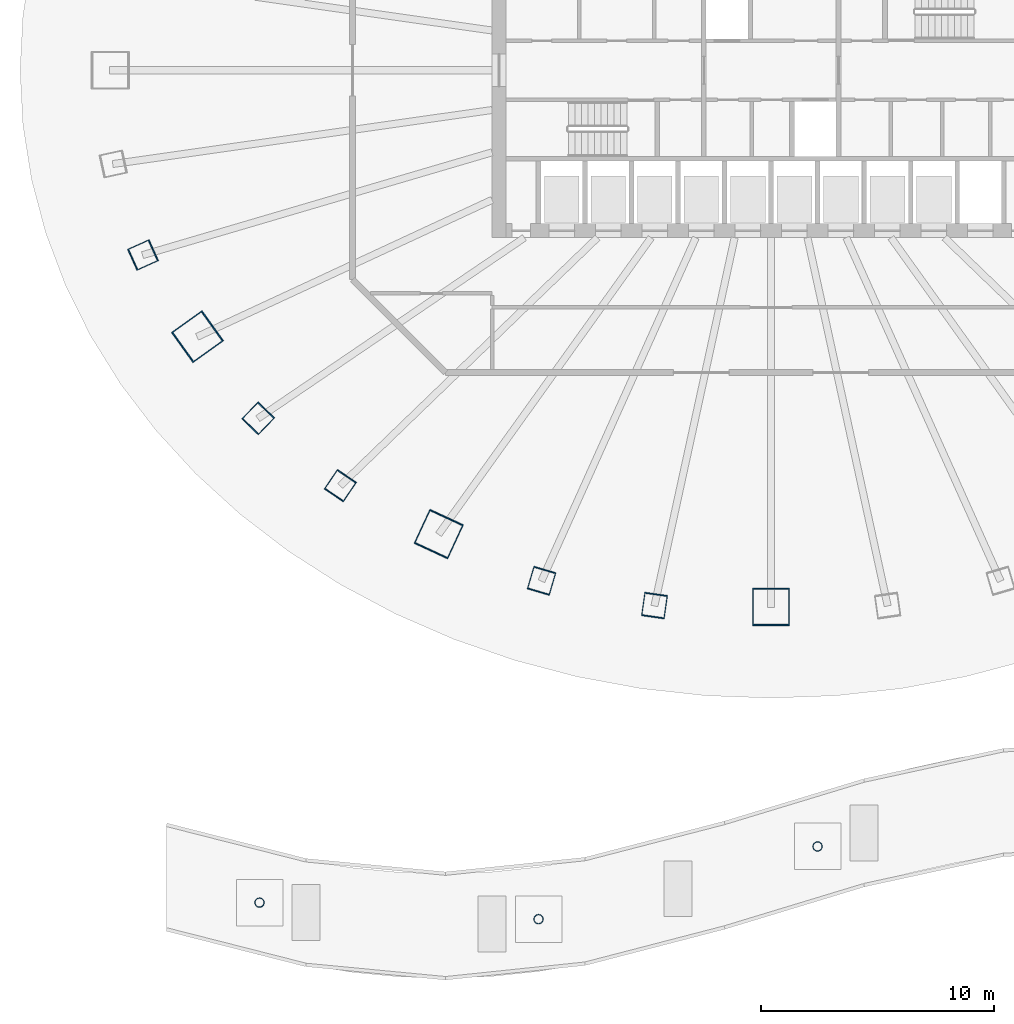
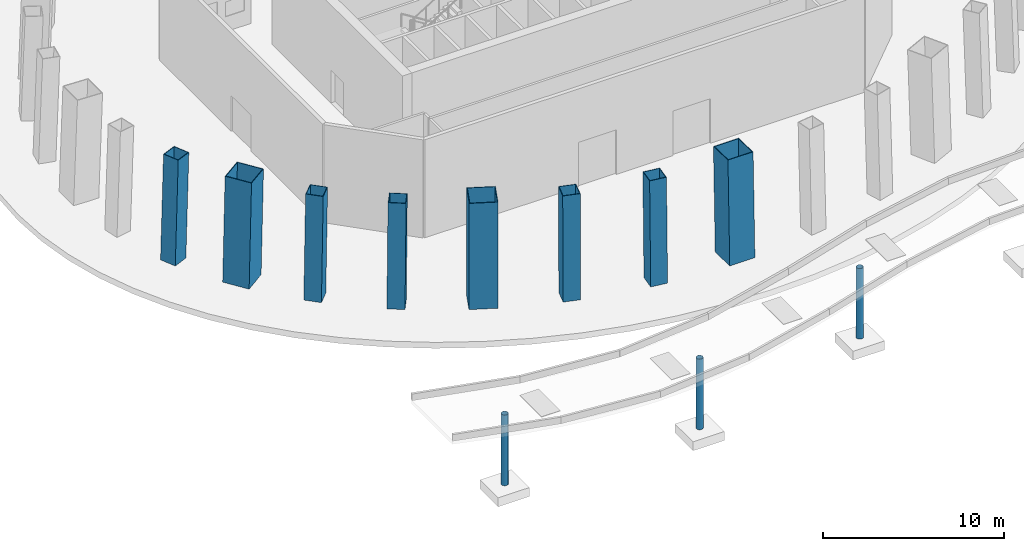
# One storey, part 2 of 10: 11 columns.
"""IFC4 building model written with IfcOpenShell, lengths in metres."""

from ifc_helpers import new_model, si_unit, direction, frame, origin, origin_2d, place, context, subcontext, project, spatial, hollow_rectangle, hollow_circle, extrude, material, material_profile, profile_set, type_object, element, save


model = new_model("IFC4")

# Units and contexts
model_context = context("Model", 3, precision=1e-05, world=origin(), true_north=direction((0.0, 1.0)))
body_context = subcontext(model_context, "Body", "Model", "MODEL_VIEW")
ifc_project = project(units=[si_unit("LENGTHUNIT", "METRE"), si_unit("AREAUNIT", "SQUARE_METRE"), si_unit("VOLUMEUNIT", "CUBIC_METRE"), si_unit("PLANEANGLEUNIT", "RADIAN"), si_unit("MASSUNIT", "GRAM", prefix="KILO")], contexts=[model_context])

# Site, building, storey
site_placement = place(None, origin())
site = spatial("IfcSite", under=ifc_project, at=site_placement, CompositionType="ELEMENT")
building_placement = place(site_placement, origin())
building = spatial("IfcBuilding", under=site, at=building_placement, Name="Siaravel Broadcast Tower", CompositionType="ELEMENT")
storey_placement = place(building_placement, origin())
storey = spatial("IfcBuildingStorey", under=building, at=storey_placement, Name="L00", CompositionType="ELEMENT", Elevation=0.0)

# Columns
ifc_material_1 = material(Name="Concrete C70/85", Category="concrete")
ifc_material_profile_1 = material_profile(ifc_material_1, hollow_rectangle(XDim=1.0, YDim=1.0, WallThickness=0.031982421875, at=origin_2d()))
ifc_profile_set_1 = profile_set([ifc_material_profile_1], Name="Concrete C70/85")
column_type_1 = type_object("IfcColumnType", Name="COL-CFT BOX 1000x1000x32", PredefinedType="COLUMN", material=ifc_profile_set_1)
column_1_placement = place(storey_placement, frame((-27.029541015625, -7.951416015625, 0.0), z_axis=(0.032486896, 0.009690297, 0.999425185), x_axis=(-0.409435953, 0.912327946, 0.00446314)))
element("IfcColumn", 1, at=column_1_placement, inside=storey, type_object=column_type_1, Name="Perimeter column C14", PredefinedType="COLUMN", context=body_context, shape_type="SweptSolid", body=[
    extrude(hollow_rectangle(XDim=1.0, YDim=1.0, WallThickness=0.031982421875, at=origin_2d()), origin(), (0.0, 0.0, 1.0), 7.00390625),
])
column_2_placement = place(storey_placement, frame((-22.072021484375, -14.98193359375, 0.0), z_axis=(0.026527837, 0.018196493, 0.999482447), x_axis=(-0.718900031, 0.695083773, 0.006426102)))
element("IfcColumn", 2, at=column_2_placement, inside=storey, type_object=column_type_1, Name="Perimeter column C15", PredefinedType="COLUMN", context=body_context, shape_type="SweptSolid", body=[
    extrude(hollow_rectangle(XDim=1.0, YDim=1.0, WallThickness=0.031982421875, at=origin_2d()), origin(), (0.0, 0.0, 1.0), 7.003662109375),
])
column_3_placement = place(storey_placement, frame((-18.536376953125, -17.877685546875, 0.0), z_axis=(0.022240937, 0.021683171, 0.999517474), x_axis=(-0.827084796, 0.562042845, 0.006211267)))
element("IfcColumn", 3, at=column_3_placement, inside=storey, type_object=column_type_1, Name="Perimeter column C16", PredefinedType="COLUMN", context=body_context, shape_type="SweptSolid", body=[
    extrude(hollow_rectangle(XDim=1.0, YDim=1.0, WallThickness=0.031982421875, at=origin_2d()), origin(), (0.0, 0.0, 1.0), 7.00341796875),
])
for number, where, z_axis, x_axis, name in (
    (4, (-9.87548828125, -21.972412109375, 0.0), (0.011853219, 0.026634879, 0.999574952), (-0.959338826, 0.28223067, 0.003855712), "Perimeter column C17"),
    (5, (-5.015625, -23.0390625, 0.0), (0.006031298, 0.02792526, 0.999591818), (-0.989957113, 0.141353514, 0.002024219), "Perimeter column C18"),
):
    element("IfcColumn", number, at=place(storey_placement, frame(where, z_axis=z_axis, x_axis=x_axis)), inside=storey, type_object=column_type_1, Name=name, PredefinedType="COLUMN", context=body_context, shape_type="SweptSolid", body=[
        extrude(hollow_rectangle(XDim=1.0, YDim=1.0, WallThickness=0.031982421875, at=origin_2d()), origin(), (0.0, 0.0, 1.0), 7.0029296875),
    ])
ifc_material_profile_2 = material_profile(ifc_material_1, hollow_rectangle(XDim=1.60009765625, YDim=1.60009765625, WallThickness=0.0400390625, at=origin_2d()))
ifc_profile_set_2 = profile_set([ifc_material_profile_2], Name="Concrete C70/85")
column_type_2 = type_object("IfcColumnType", Name="COL-CFT BOX 1600x1600x40", PredefinedType="COLUMN", material=ifc_profile_set_2)
column_4_placement = place(storey_placement, frame((-24.685302734375, -11.465576171875, 0.0), z_axis=(0.029977919, 0.014187224, 0.999449872), x_axis=(-0.58190841, 0.813232852, 0.005910137)))
element("IfcColumn", 6, at=column_4_placement, inside=storey, type_object=column_type_2, Name="Megacolumn MC08", PredefinedType="COLUMN", context=body_context, shape_type="SweptSolid", body=[
    extrude(hollow_rectangle(XDim=1.60009765625, YDim=1.60009765625, WallThickness=0.0400390625, at=origin_2d()), origin(), (0.0, 0.0, 1.0), 7.00390625),
])
column_5_placement = place(storey_placement, frame((-14.30078125, -19.962158203125, 0.0), z_axis=(0.017291309, 0.024542504, 0.999549236), x_axis=(-0.907302751, 0.420443645, 0.005372134)))
element("IfcColumn", 7, at=column_5_placement, inside=storey, type_object=column_type_2, Name="Megacolumn MC09", PredefinedType="COLUMN", context=body_context, shape_type="SweptSolid", body=[
    extrude(hollow_rectangle(XDim=1.60009765625, YDim=1.60009765625, WallThickness=0.0400390625, at=origin_2d()), origin(), (0.0, 0.0, 1.0), 7.003173828125),
])
column_6_placement = place(storey_placement, frame((0.0, -23.098388671875, 0.0), z_axis=(0.0, 0.028343798, 0.999598234), x_axis=(-1.0, 0.0, 0.0)))
element("IfcColumn", 8, at=column_6_placement, inside=storey, type_object=column_type_2, Name="Megacolumn MC10", PredefinedType="COLUMN", context=body_context, shape_type="SweptSolid", body=[
    extrude(hollow_rectangle(XDim=1.60009765625, YDim=1.60009765625, WallThickness=0.0400390625, at=origin_2d()), origin(), (0.0, 0.0, 1.0), 7.0029296875),
])
ifc_material_2 = material(Name="Steel S355", Category="steel")
ifc_material_profile_3 = material_profile(ifc_material_2, hollow_circle(Radius=0.203125, WallThickness=0.01611328125, at=origin_2d()))
ifc_profile_set_3 = profile_set([ifc_material_profile_3], Name="Steel S355")
column_type_3 = type_object("IfcColumnType", Name="Canopy column CHS 406x16", PredefinedType="COLUMN", material=ifc_profile_set_3)
for number, where, z_axis, x_axis, name in (
    (9, (-22.0, -35.797607421875, 0.0), (0.0, 0.0, 1.0), (1.0, 0.0, 0.0), "Canopy column 1"),
    (10, (-10.0, -36.50927734375, 0.0), (0.0, 0.0, 1.0), (1.0, 0.0, 0.0), "Canopy column 2"),
    (11, (2.0, -33.3828125, 0.0), (0.0, 0.0, 1.0), (1.0, 0.0, 0.0), "Canopy column 3"),
):
    element("IfcColumn", number, at=place(storey_placement, frame(where, z_axis=z_axis, x_axis=x_axis)), inside=storey, type_object=column_type_3, Name=name, PredefinedType="COLUMN", context=body_context, shape_type="SweptSolid", body=[
        extrude(hollow_circle(Radius=0.203125, WallThickness=0.01611328125, at=origin_2d()), origin(), (0.0, 0.0, 1.0), 4.75),
    ])

save(model, "model.ifc")
